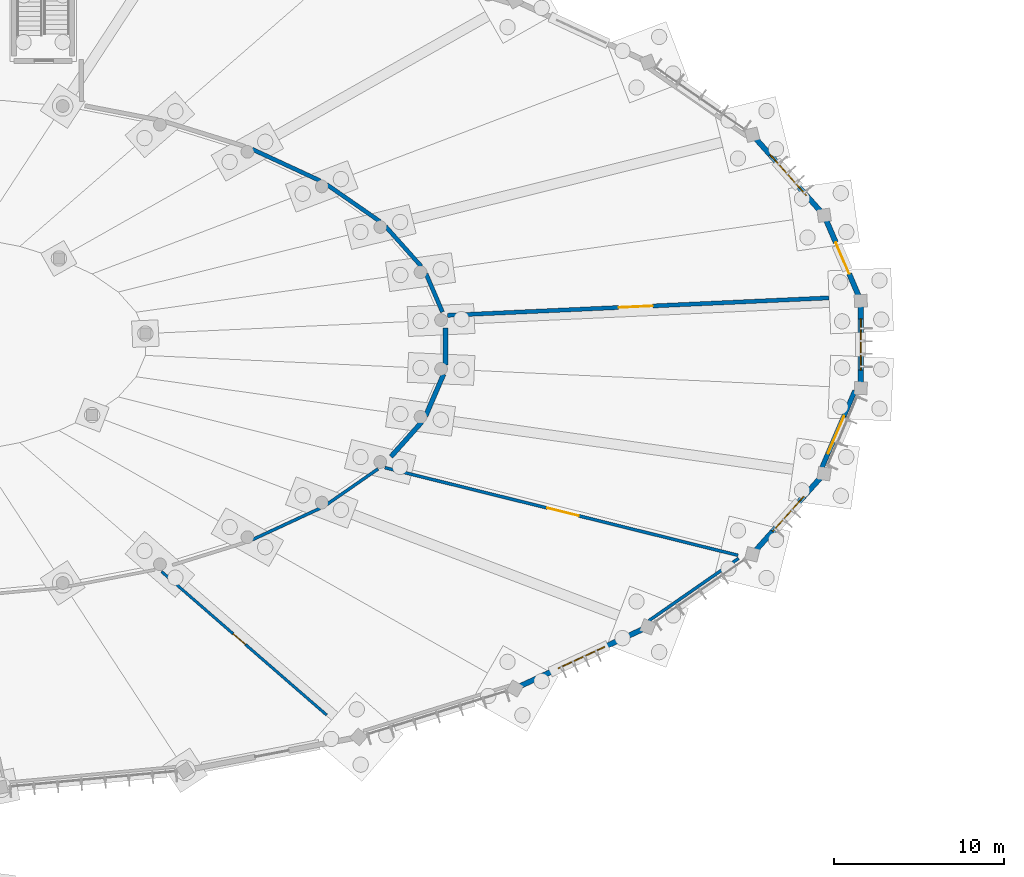
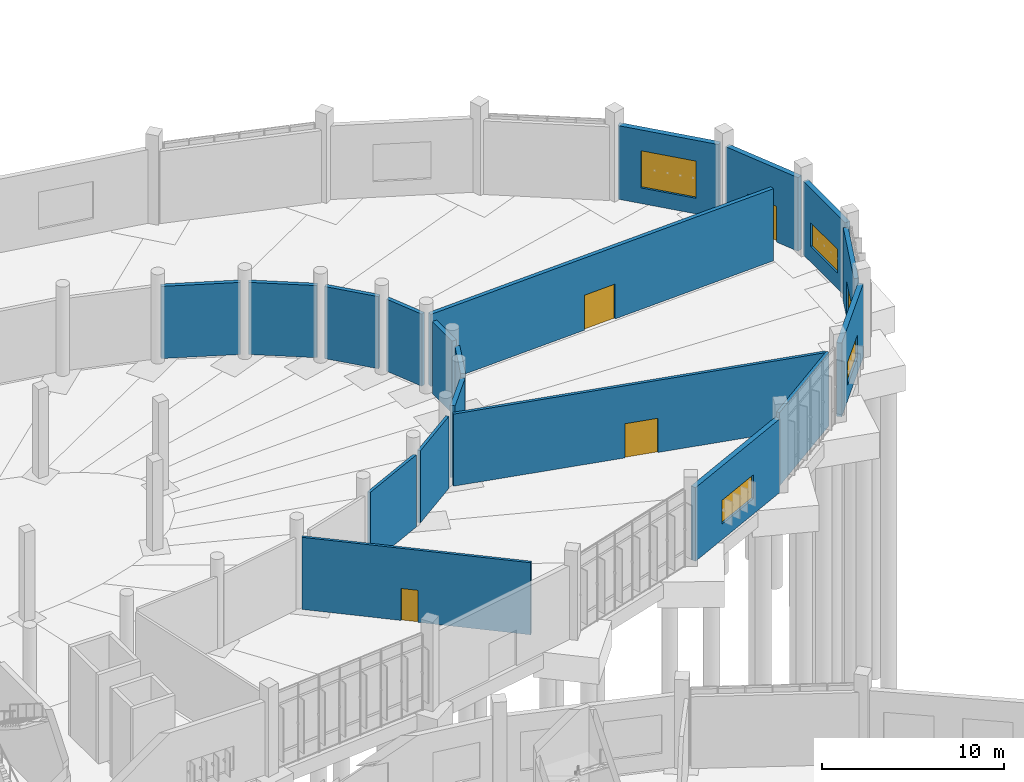
# One storey, part 91 of 140: 19 walls, 5 doors, 4 windows, 9 openings.
"""IFC4 building model written with IfcOpenShell, lengths in metres."""

from ifc_helpers import new_model, si_unit, direction, frame, frame_2d, origin, place, context, subcontext, project, spatial, rectangle, extrude, material, layer, layer_set, type_object, element, fill, save


model = new_model("IFC4")

# Units and contexts
model_context = context("Model", 3, precision=1e-05, world=origin(), true_north=direction((0.0, 1.0)))
body_context = subcontext(model_context, "Body", "Model", "MODEL_VIEW")
ifc_project = project(units=[si_unit("LENGTHUNIT", "METRE"), si_unit("AREAUNIT", "SQUARE_METRE"), si_unit("VOLUMEUNIT", "CUBIC_METRE"), si_unit("PLANEANGLEUNIT", "RADIAN"), si_unit("MASSUNIT", "GRAM", prefix="KILO")], contexts=[model_context])

# Site, building, storey
site_placement = place(None, origin())
site = spatial("IfcSite", under=ifc_project, at=site_placement, CompositionType="ELEMENT")
building_placement = place(site_placement, origin())
building = spatial("IfcBuilding", under=site, at=building_placement, Name="Corvandel Quay Wholesale Market", CompositionType="ELEMENT")
storey_placement = place(building_placement, origin())
storey = spatial("IfcBuildingStorey", under=building, at=storey_placement, Name="L00", CompositionType="ELEMENT", Elevation=0.0)

# Walls
ifc_material_1 = material(Name="PIR insulated food-safe sandwich panel")
ifc_layer_1 = layer(ifc_material_1, 0.280029296875)
ifc_layer_set_1 = layer_set([ifc_layer_1], Name="PIR insulated food-safe sandwich panel")
wall_type_1 = type_object("IfcWallType", Name="Cold Store Insulated Partition PT03 280", PredefinedType="PARTITIONING", material=ifc_layer_set_1)
wall_1_placement = place(storey_placement, frame((142.418212890625, 109.416259765625, 0.0), z_axis=(0.0, 0.0, 1.0), x_axis=(0.665185048373, 0.746678546244, 0.0)))
element("IfcWall", 1, at=wall_1_placement, inside=storey, type_object=wall_type_1, Name="Interior Wall IW-0608", PredefinedType="PARTITIONING", context=body_context, shape_type="SweptSolid", body=[
    extrude(rectangle(XDim=2.711181640625, YDim=0.280029296875, at=frame_2d((1.35546875, 0.0))), origin(), (0.0, 0.0, 1.0), 4.85009765625),
])
wall_2_placement = place(storey_placement, frame((144.455078125, 111.80712890625, 0.0), z_axis=(0.0, 0.0, 1.0), x_axis=(0.395440155108, 0.918491743963, 0.0)))
element("IfcWall", 2, at=wall_2_placement, inside=storey, type_object=wall_type_1, Name="Interior Wall IW-0609", PredefinedType="PARTITIONING", context=body_context, shape_type="SweptSolid", body=[
    extrude(rectangle(XDim=2.672607421875, YDim=0.280029296875, at=frame_2d((1.33642578125, 0.0))), origin(), (0.0, 0.0, 1.0), 4.85009765625),
])
wall_3_placement = place(storey_placement, frame((145.6201171875, 114.785888671875, 0.0), z_axis=(0.0, 0.0, 1.0), x_axis=(0.0, 1.0, 0.0)))
element("IfcWall", 3, at=wall_3_placement, inside=storey, type_object=wall_type_1, Name="Interior Wall IW-0610", PredefinedType="PARTITIONING", context=body_context, shape_type="SweptSolid", body=[
    extrude(rectangle(XDim=2.18017578125, YDim=0.280029296875, at=frame_2d((1.090087890625, 0.0))), origin(), (0.0, 0.0, 1.0), 4.85009765625),
])

# Wall, opening, door
wall_4_placement = place(storey_placement, frame((169.6533203125, 113.289794921875, 0.0), z_axis=(0.0, 0.0, 1.0), x_axis=(-0.393751898681, -0.919216754789, 0.0)))
wall_4 = element("IfcWall", 4, at=wall_4_placement, inside=storey, type_object=wall_type_1, Name="Interior Wall IW-0611", PredefinedType="PARTITIONING", context=body_context, shape_type="SweptSolid", body=[
    extrude(rectangle(XDim=4.9287109375, YDim=0.280029296875, at=frame_2d((2.46435546875, 0.0))), origin(), (0.0, 0.0, 1.0), 4.949951171875),
])
opening_1_placement = place(wall_4_placement, frame((1.614013671875, 0.0, 0.0)))
opening_1 = element("IfcOpeningElement", 5, at=opening_1_placement, cuts=wall_4, Name="Opening L00-D104", PredefinedType="OPENING", context=body_context, shape_type="SweptSolid", body=[
    extrude(rectangle(XDim=2.39990234375, YDim=2.449951171875, at=frame_2d((1.199951171875, 1.22509765625))), frame((0.0, 0.14990234375, 0.0), z_axis=(0.0, -1.0, 0.0), x_axis=(1.0, 0.0, 0.0)), (0.0, 0.0, 1.0), 0.300048828125),
])
ifc_material_2 = material(Name="Stainless insulated cold-store leaf")
door_type_1 = type_object("IfcDoorType", Name="Cold Store Insulated Sliding Door ID06 2400x2450", OperationType="DOUBLE_DOOR_SLIDING", PredefinedType="DOOR", material=ifc_material_2)
door_1_placement = place(opening_1_placement, origin())
door_1 = element("IfcDoor", 6, at=door_1_placement, inside=storey, type_object=door_type_1, Name="Potted Plant and Floral Cold Store Door", OperationType="DOUBLE_DOOR_SLIDING", OverallHeight=2.449951171875, OverallWidth=2.39990234375, PredefinedType="DOOR", context=body_context, shape_type="SweptSolid", body=[
    extrude(rectangle(XDim=2.39990234375, YDim=2.449951171875, at=frame_2d((1.199951171875, 1.22509765625))), frame((0.0, 0.02490234375, 0.0), z_axis=(0.0, -1.0, 0.0), x_axis=(1.0, 0.0, 0.0)), (0.0, 0.0, 1.0), 0.050048828125),
])
fill(opening_1, door_1)

# Walls
ifc_material_3 = material(Name="Lightweight concrete blockwork", Category="masonry")
ifc_layer_2 = layer(ifc_material_3, 0.239990234375)
ifc_layer_set_2 = layer_set([ifc_layer_2], Name="Lightweight concrete blockwork")
wall_type_2 = type_object("IfcWallType", Name="Fire Compartment Partition PT01 240", PredefinedType="PARTITIONING", material=ifc_layer_set_2)
wall_5_placement = place(storey_placement, frame((144.202392578125, 120.583984375, 0.0), z_axis=(0.0, 0.0, 1.0), x_axis=(-0.666082095966, 0.745878436096, 0.0)))
element("IfcWall", 7, at=wall_5_placement, inside=storey, type_object=wall_type_2, Name="Interior Wall IW-0562", PredefinedType="PARTITIONING", context=body_context, shape_type="SweptSolid", body=[
    extrude(rectangle(XDim=3.145263671875, YDim=0.239990234375, at=frame_2d((1.57275390625, 0.0))), origin(), (0.0, 0.0, 1.0), 4.85009765625),
])
wall_6_placement = place(storey_placement, frame((141.7802734375, 123.219482421875, 0.0), z_axis=(0.0, 0.0, 1.0), x_axis=(-0.821689133269, 0.569935933476, 0.0)))
element("IfcWall", 8, at=wall_6_placement, inside=storey, type_object=wall_type_2, Name="Interior Wall IW-0563", PredefinedType="PARTITIONING", context=body_context, shape_type="SweptSolid", body=[
    extrude(rectangle(XDim=3.811279296875, YDim=0.239990234375, at=frame_2d((1.90576171875, 0.0))), origin(), (0.0, 0.0, 1.0), 4.85009765625),
])
wall_7_placement = place(storey_placement, frame((138.268310546875, 125.609619140625, 0.0), z_axis=(0.0, 0.0, 1.0), x_axis=(-0.90722559216, 0.420644416259, 0.0)))
element("IfcWall", 9, at=wall_7_placement, inside=storey, type_object=wall_type_2, Name="Interior Wall IW-0564", PredefinedType="PARTITIONING", context=body_context, shape_type="SweptSolid", body=[
    extrude(rectangle(XDim=4.409912109375, YDim=0.239990234375, at=frame_2d((2.205078125, 0.0))), origin(), (0.0, 0.0, 1.0), 4.85009765625),
])

# Wall, opening, door
wall_8_placement = place(storey_placement, frame((168.12353515625, 118.73583984375, 0.0), z_axis=(0.0, 0.0, 1.0), x_axis=(-0.998955125277, -0.045701834571, 0.0)))
wall_8 = element("IfcWall", 10, at=wall_8_placement, inside=storey, type_object=wall_type_2, Name="Interior Wall IW-0573", PredefinedType="PARTITIONING", context=body_context, shape_type="SweptSolid", body=[
    extrude(rectangle(XDim=22.399169921875, YDim=0.239990234375, at=frame_2d((11.19970703125, 0.0))), origin(), (0.0, 0.0, 1.0), 4.85009765625),
])
opening_2_placement = place(wall_8_placement, frame((10.35009765625, 0.0, 0.0)))
opening_2 = element("IfcOpeningElement", 11, at=opening_2_placement, cuts=wall_8, Name="Opening L00-D098", PredefinedType="OPENING", context=body_context, shape_type="SweptSolid", body=[
    extrude(rectangle(XDim=2.0, YDim=2.35009765625, at=frame_2d((1.0, 1.175048828125))), frame((0.0, 0.1298828125, 0.0), z_axis=(0.0, -1.0, 0.0), x_axis=(1.0, 0.0, 0.0)), (0.0, 0.0, 1.0), 0.260009765625),
])
ifc_material_4 = material(Name="Heavy-duty anodised aluminium", Category="aluminium")
door_type_2 = type_object("IfcDoorType", Name="Trading Stall Double Door ID05 2000x2350", OperationType="DOUBLE_DOOR_SINGLE_SWING", PredefinedType="DOOR", material=ifc_material_4)
door_2_placement = place(opening_2_placement, origin())
door_2 = element("IfcDoor", 12, at=door_2_placement, inside=storey, type_object=door_type_2, Name="Conditioned Cut Flower Market Hall Door", OperationType="DOUBLE_DOOR_SINGLE_SWING", OverallHeight=2.35009765625, OverallWidth=2.0, PredefinedType="DOOR", context=body_context, shape_type="SweptSolid", body=[
    extrude(rectangle(XDim=2.0, YDim=2.35009765625, at=frame_2d((1.0, 1.175048828125))), frame((0.0, 0.02490234375, 0.0), z_axis=(0.0, -1.0, 0.0), x_axis=(1.0, 0.0, 0.0)), (0.0, 0.0, 1.0), 0.050048828125),
])
fill(opening_2, door_2)

# Wall
wall_9_placement = place(storey_placement, frame((145.44140625, 117.904296875, 0.0), z_axis=(0.0, 0.0, 1.0), x_axis=(-0.39375043344, 0.919217382432, 0.0)))
element("IfcWall", 13, at=wall_9_placement, inside=storey, type_object=wall_type_2, Name="Interior Wall IW-0574", PredefinedType="PARTITIONING", context=body_context, shape_type="SweptSolid", body=[
    extrude(rectangle(XDim=2.44287109375, YDim=0.239990234375, at=frame_2d((1.221435546875, 0.0))), origin(), (0.0, 0.0, 1.0), 4.85009765625),
])

# Wall, opening, door
ifc_material_5 = material(Name="Marine precast concrete C45/55", Category="concrete")
ifc_layer_3 = layer(ifc_material_5, 0.31005859375)
ifc_layer_set_3 = layer_set([ifc_layer_3], Name="Marine precast concrete C45/55")
wall_type_3 = type_object("IfcWallType", Name="Fish Hall Marine Precast Wall EW06 310", PredefinedType="SOLIDWALL", material=ifc_layer_set_3)
wall_10_placement = place(storey_placement, frame((169.905517578125, 118.781494140625, 0.0), z_axis=(0.0, 0.0, 1.0), x_axis=(-0.393836540118, 0.91918049352, 0.0)))
wall_10 = element("IfcWall", 14, at=wall_10_placement, inside=storey, type_object=wall_type_3, Name="Exterior Wall EW-0089", PredefinedType="SOLIDWALL", context=body_context, shape_type="SweptSolid", body=[
    extrude(rectangle(XDim=4.984619140625, YDim=0.31005859375, at=frame_2d((2.4921875, 0.0))), origin(), (0.0, 0.0, 1.0), 4.949951171875),
])
opening_3_placement = place(wall_10_placement, frame((1.491943359375, 0.0, 0.0)))
opening_3 = element("IfcOpeningElement", 15, at=opening_3_placement, cuts=wall_10, Name="Opening L00-D017", PredefinedType="OPENING", context=body_context, shape_type="SweptSolid", body=[
    extrude(rectangle(XDim=2.0, YDim=2.39990234375, at=frame_2d((1.0, 1.199951171875))), frame((0.0, 0.1650390625, 0.0), z_axis=(0.0, -1.0, 0.0), x_axis=(1.0, 0.0, 0.0)), (0.0, 0.0, 1.0), 0.330078125),
])
ifc_material_6 = material(Name="Bronze anodised aluminium and laminated glass", Category="aluminium")
door_type_3 = type_object("IfcDoorType", Name="Concourse Double Exit Door ED02 2000x2400", OperationType="DOUBLE_DOOR_SINGLE_SWING", PredefinedType="DOOR", material=ifc_material_6)
door_3_placement = place(opening_3_placement, origin())
door_3 = element("IfcDoor", 16, at=door_3_placement, inside=storey, type_object=door_type_3, Name="Main Pedestrian Exit V2-00", OperationType="DOUBLE_DOOR_SINGLE_SWING", OverallHeight=2.39990234375, OverallWidth=2.0, PredefinedType="DOOR", context=body_context, shape_type="SweptSolid", body=[
    extrude(rectangle(XDim=2.0, YDim=2.39990234375, at=frame_2d((1.0, 1.199951171875))), frame((0.0, 0.02490234375, 0.0), z_axis=(0.0, -1.0, 0.0), x_axis=(1.0, 0.0, 0.0)), (0.0, 0.0, 1.0), 0.050048828125),
])
fill(opening_3, door_3)

# Wall, opening, window
wall_11_placement = place(storey_placement, frame((167.688232421875, 123.76318359375, 0.0), z_axis=(0.0, 0.0, 1.0), x_axis=(-0.665655603323, 0.746259082199, 0.0)))
wall_11 = element("IfcWall", 17, at=wall_11_placement, inside=storey, type_object=wall_type_3, Name="Exterior Wall EW-0092", PredefinedType="SOLIDWALL", context=body_context, shape_type="SweptSolid", body=[
    extrude(rectangle(XDim=5.86083984375, YDim=0.31005859375, at=frame_2d((2.930419921875, 0.0))), origin(), (0.0, 0.0, 1.0), 4.949951171875),
])
opening_4_placement = place(wall_11_placement, frame((1.330078125, 0.0, 1.050048828125)))
opening_4 = element("IfcOpeningElement", 18, at=opening_4_placement, cuts=wall_11, Name="Opening L00-W052", PredefinedType="OPENING", context=body_context, shape_type="SweptSolid", body=[
    extrude(rectangle(XDim=3.199951171875, YDim=2.5, at=frame_2d((1.60009765625, 1.25))), frame((0.0, 0.1650390625, 0.0), z_axis=(0.0, -1.0, 0.0), x_axis=(1.0, 0.0, 0.0)), (0.0, 0.0, 1.0), 0.330078125),
])
ifc_material_7 = material(Name="Thermally broken bronze anodised aluminium and solar-control low-E double glazing", Category="aluminium")
window_type_1 = type_object("IfcWindowType", Name="Flower Market Display Window WN07 3200x2500", PartitioningType="SINGLE_PANEL", PredefinedType="WINDOW", material=ifc_material_7)
window_1_placement = place(opening_4_placement, origin())
window_1 = element("IfcWindow", 19, at=window_1_placement, inside=storey, type_object=window_type_1, Name="Window L00-W052", OverallHeight=2.5, OverallWidth=3.199951171875, PartitioningType="SINGLE_PANEL", PredefinedType="WINDOW", context=body_context, shape_type="SweptSolid", body=[
    extrude(rectangle(XDim=3.199951171875, YDim=2.5, at=frame_2d((1.60009765625, 1.25))), frame((0.0, 0.030029296875, 0.0), z_axis=(0.0, -1.0, 0.0), x_axis=(1.0, 0.0, 0.0)), (0.0, 0.0, 1.0), 0.06005859375),
])
fill(opening_4, window_1)

wall_12_placement = place(storey_placement, frame((149.915771484375, 95.905029296875, 0.0), z_axis=(0.0, 0.0, 1.0), x_axis=(0.906976563178, 0.421181093884, 0.0)))
wall_12 = element("IfcWall", 20, at=wall_12_placement, inside=storey, type_object=wall_type_3, Name="Exterior Wall EW-0146", PredefinedType="SOLIDWALL", context=body_context, shape_type="SweptSolid", body=[
    extrude(rectangle(XDim=8.119873046875, YDim=0.31005859375, at=frame_2d((4.06005859375, 0.0))), origin(), (0.0, 0.0, 1.0), 4.949951171875),
])
opening_5_placement = place(wall_12_placement, frame((2.56005859375, 0.0, 1.050048828125)))
opening_5 = element("IfcOpeningElement", 21, at=opening_5_placement, cuts=wall_12, Name="Opening L00-W064", PredefinedType="OPENING", context=body_context, shape_type="SweptSolid", body=[
    extrude(rectangle(XDim=3.0, YDim=1.60009765625, at=frame_2d((1.5, 0.800048828125))), frame((0.0, 0.1650390625, 0.0), z_axis=(0.0, -1.0, 0.0), x_axis=(1.0, 0.0, 0.0)), (0.0, 0.0, 1.0), 0.330078125),
])
window_type_2 = type_object("IfcWindowType", Name="Fish Hall High-Level Window WN06 3000x1600", PartitioningType="SINGLE_PANEL", PredefinedType="WINDOW", material=ifc_material_7)
window_2_placement = place(opening_5_placement, origin())
window_2 = element("IfcWindow", 22, at=window_2_placement, inside=storey, type_object=window_type_2, Name="Window L00-W064", OverallHeight=1.60009765625, OverallWidth=3.0, PartitioningType="SINGLE_PANEL", PredefinedType="WINDOW", context=body_context, shape_type="SweptSolid", body=[
    extrude(rectangle(XDim=3.0, YDim=1.60009765625, at=frame_2d((1.5, 0.800048828125))), frame((0.0, 0.030029296875, 0.0), z_axis=(0.0, -1.0, 0.0), x_axis=(1.0, 0.0, 0.0)), (0.0, 0.0, 1.0), 0.06005859375),
])
fill(opening_5, window_2)

wall_13_placement = place(storey_placement, frame((163.786865234375, 103.863037109375, 0.0), z_axis=(0.0, 0.0, 1.0), x_axis=(0.665655603323, 0.746259082199, 0.0)))
wall_13 = element("IfcWall", 23, at=wall_13_placement, inside=storey, type_object=wall_type_3, Name="Exterior Wall EW-0150", PredefinedType="SOLIDWALL", context=body_context, shape_type="SweptSolid", body=[
    extrude(rectangle(XDim=5.86083984375, YDim=0.31005859375, at=frame_2d((2.930419921875, 0.0))), origin(), (0.0, 0.0, 1.0), 4.949951171875),
])
opening_6_placement = place(wall_13_placement, frame((1.554931640625, 0.0, 1.050048828125)))
opening_6 = element("IfcOpeningElement", 24, at=opening_6_placement, cuts=wall_13, Name="Opening L00-W065", PredefinedType="OPENING", context=body_context, shape_type="SweptSolid", body=[
    extrude(rectangle(XDim=2.75, YDim=1.550048828125, at=frame_2d((1.375, 0.77490234375))), frame((0.0, 0.1650390625, 0.0), z_axis=(0.0, -1.0, 0.0), x_axis=(1.0, 0.0, 0.0)), (0.0, 0.0, 1.0), 0.330078125),
])
window_type_3 = type_object("IfcWindowType", Name="North Market Clerestory Window WN24 2750x1550", PartitioningType="SINGLE_PANEL", PredefinedType="WINDOW", material=ifc_material_7)
window_3_placement = place(opening_6_placement, origin())
window_3 = element("IfcWindow", 25, at=window_3_placement, inside=storey, type_object=window_type_3, Name="Window L00-W065", OverallHeight=1.550048828125, OverallWidth=2.75, PartitioningType="SINGLE_PANEL", PredefinedType="WINDOW", context=body_context, shape_type="SweptSolid", body=[
    extrude(rectangle(XDim=2.75, YDim=1.550048828125, at=frame_2d((1.375, 0.77490234375))), frame((0.0, 0.030029296875, 0.0), z_axis=(0.0, -1.0, 0.0), x_axis=(1.0, 0.0, 0.0)), (0.0, 0.0, 1.0), 0.06005859375),
])
fill(opening_6, window_3)

wall_14_placement = place(storey_placement, frame((170.0, 113.678955078125, 0.0), z_axis=(0.0, 0.0, 1.0), x_axis=(0.0, 1.0, 0.0)))
wall_14 = element("IfcWall", 26, at=wall_14_placement, inside=storey, type_object=wall_type_3, Name="Exterior Wall EW-0154", PredefinedType="SOLIDWALL", context=body_context, shape_type="SweptSolid", body=[
    extrude(rectangle(XDim=4.64208984375, YDim=0.31005859375, at=frame_2d((2.321044921875, 0.0))), origin(), (0.0, 0.0, 1.0), 4.949951171875),
])
opening_7_placement = place(wall_14_placement, frame((0.821044921875, 0.0, 1.050048828125)))
opening_7 = element("IfcOpeningElement", 27, at=opening_7_placement, cuts=wall_14, Name="Opening L00-W066", PredefinedType="OPENING", context=body_context, shape_type="SweptSolid", body=[
    extrude(rectangle(XDim=3.0, YDim=1.60009765625, at=frame_2d((1.5, 0.800048828125))), frame((0.0, 0.1650390625, 0.0), z_axis=(0.0, -1.0, 0.0), x_axis=(1.0, 0.0, 0.0)), (0.0, 0.0, 1.0), 0.330078125),
])
window_4_placement = place(opening_7_placement, origin())
window_4 = element("IfcWindow", 28, at=window_4_placement, inside=storey, type_object=window_type_2, Name="Window L00-W066", OverallHeight=1.60009765625, OverallWidth=3.0, PartitioningType="SINGLE_PANEL", PredefinedType="WINDOW", context=body_context, shape_type="SweptSolid", body=[
    extrude(rectangle(XDim=3.0, YDim=1.60009765625, at=frame_2d((1.5, 0.800048828125))), frame((0.0, 0.030029296875, 0.0), z_axis=(0.0, -1.0, 0.0), x_axis=(1.0, 0.0, 0.0)), (0.0, 0.0, 1.0), 0.06005859375),
])
fill(opening_7, window_4)

# Walls
ifc_material_8 = material(Name="FRP-faced cementitious board stud wall")
ifc_layer_4 = layer(ifc_material_8, 0.179931640625)
ifc_layer_set_4 = layer_set([ifc_layer_4], Name="FRP-faced cementitious board stud wall")
wall_type_4 = type_object("IfcWallType", Name="Hygienic Washdown Partition PT05 180", PredefinedType="PARTITIONING", material=ifc_layer_set_4)
wall_15_placement = place(storey_placement, frame((134.271484375, 104.53662109375, 0.0), z_axis=(0.0, 0.0, 1.0), x_axis=(0.907174440415, 0.420754720303, 0.0)))
element("IfcWall", 29, at=wall_15_placement, inside=storey, type_object=wall_type_4, Name="Interior Wall IW-0603", PredefinedType="PARTITIONING", context=body_context, shape_type="SweptSolid", body=[
    extrude(rectangle(XDim=4.40576171875, YDim=0.179931640625, at=frame_2d((2.202880859375, 0.0))), origin(), (0.0, 0.0, 1.0), 4.85009765625),
])
wall_16_placement = place(storey_placement, frame((138.648681640625, 106.6083984375, 0.0), z_axis=(0.0, 0.0, 1.0), x_axis=(0.821916413941, 0.569608118354, 0.0)))
element("IfcWall", 30, at=wall_16_placement, inside=storey, type_object=wall_type_4, Name="Interior Wall IW-0604", PredefinedType="PARTITIONING", context=body_context, shape_type="SweptSolid", body=[
    extrude(rectangle(XDim=3.666259765625, YDim=0.179931640625, at=frame_2d((1.8330078125, 0.0))), origin(), (0.0, 0.0, 1.0), 4.85009765625),
])

# Wall, opening, door
wall_17_placement = place(storey_placement, frame((142.056396484375, 108.76904296875, 0.0), z_axis=(0.0, 0.0, 1.0), x_axis=(0.970562474768, -0.240849501915, 0.0)))
wall_17 = element("IfcWall", 31, at=wall_17_placement, inside=storey, type_object=wall_type_4, Name="Interior Wall IW-0605", PredefinedType="PARTITIONING", context=body_context, shape_type="SweptSolid", body=[
    extrude(rectangle(XDim=21.365966796875, YDim=0.179931640625, at=frame_2d((10.68310546875, 0.0))), origin(), (0.0, 0.0, 1.0), 4.85009765625),
])
opening_8_placement = place(wall_17_placement, frame((9.8330078125, 0.0, 0.0)))
opening_8 = element("IfcOpeningElement", 32, at=opening_8_placement, cuts=wall_17, Name="Opening L00-D103", PredefinedType="OPENING", context=body_context, shape_type="SweptSolid", body=[
    extrude(rectangle(XDim=1.89990234375, YDim=2.300048828125, at=frame_2d((0.949951171875, 1.14990234375))), frame((0.0, 0.099853515625, 0.0), z_axis=(0.0, -1.0, 0.0), x_axis=(1.0, 0.0, 0.0)), (0.0, 0.0, 1.0), 0.199951171875),
])
ifc_material_9 = material(Name="Brushed stainless steel hygienic leaf", Category="steel")
door_type_4 = type_object("IfcDoorType", Name="Canteen Kitchen Double Door ID17 1900x2300", OperationType="DOUBLE_DOOR_SINGLE_SWING", PredefinedType="DOOR", material=ifc_material_9)
door_4_placement = place(opening_8_placement, origin())
door_4 = element("IfcDoor", 33, at=door_4_placement, inside=storey, type_object=door_type_4, Name="Fish Gutting and Filleting Hygiene Room Door", OperationType="DOUBLE_DOOR_SINGLE_SWING", OverallHeight=2.300048828125, OverallWidth=1.89990234375, PredefinedType="DOOR", context=body_context, shape_type="SweptSolid", body=[
    extrude(rectangle(XDim=1.89990234375, YDim=2.300048828125, at=frame_2d((0.949951171875, 1.14990234375))), frame((0.0, 0.02490234375, 0.0), z_axis=(0.0, -1.0, 0.0), x_axis=(1.0, 0.0, 0.0)), (0.0, 0.0, 1.0), 0.050048828125),
])
fill(opening_8, door_4)

# Wall
wall_18_placement = place(storey_placement, frame((162.826416015625, 103.444580078125, 0.0), z_axis=(0.0, 0.0, 1.0), x_axis=(-0.821236459211, -0.570588010794, 0.0)))
element("IfcWall", 34, at=wall_18_placement, inside=storey, type_object=wall_type_4, Name="Interior Wall IW-0606", PredefinedType="PARTITIONING", context=body_context, shape_type="SweptSolid", body=[
    extrude(rectangle(XDim=6.4267578125, YDim=0.179931640625, at=frame_2d((3.21337890625, 0.0))), origin(), (0.0, 0.0, 1.0), 4.949951171875),
])

# Wall, opening, door
ifc_material_10 = material(Name="Moisture-resistant tile-backer partition")
ifc_layer_5 = layer(ifc_material_10, 0.159912109375)
ifc_layer_set_5 = layer_set([ifc_layer_5], Name="Moisture-resistant tile-backer partition")
wall_type_5 = type_object("IfcWallType", Name="Sanitary Tile Partition PT06 160", PredefinedType="PARTITIONING", material=ifc_layer_set_5)
wall_19_placement = place(storey_placement, frame((128.946044921875, 102.673583984375, 0.0), z_axis=(0.0, 0.0, 1.0), x_axis=(0.754936044431, -0.655798420872, 0.0)))
wall_19 = element("IfcWall", 35, at=wall_19_placement, inside=storey, type_object=wall_type_5, Name="Interior Wall IW-0599", PredefinedType="PARTITIONING", context=body_context, shape_type="SweptSolid", body=[
    extrude(rectangle(XDim=12.84521484375, YDim=0.159912109375, at=frame_2d((6.422607421875, 0.0))), origin(), (0.0, 0.0, 1.0), 4.85009765625),
])
opening_9_placement = place(wall_19_placement, frame((5.572998046875, 0.0, 0.0)))
opening_9 = element("IfcOpeningElement", 36, at=opening_9_placement, cuts=wall_19, Name="Opening L00-D102", PredefinedType="OPENING", context=body_context, shape_type="SweptSolid", body=[
    extrude(rectangle(XDim=0.949951171875, YDim=2.14990234375, at=frame_2d((0.47509765625, 1.074951171875))), frame((0.0, 0.08984375, 0.0), z_axis=(0.0, -1.0, 0.0), x_axis=(1.0, 0.0, 0.0)), (0.0, 0.0, 1.0), 0.179931640625),
])
ifc_material_11 = material(Name="Moisture-resistant HPL solid core")
door_type_5 = type_object("IfcDoorType", Name="Accessible Restroom Door ID14 950x2150R", OperationType="SINGLE_SWING_RIGHT", PredefinedType="DOOR", material=ifc_material_11)
door_5_placement = place(opening_9_placement, origin())
door_5 = element("IfcDoor", 37, at=door_5_placement, inside=storey, type_object=door_type_5, Name="Public Accessible Toilet and Restroom V2 Door", OperationType="SINGLE_SWING_RIGHT", OverallHeight=2.14990234375, OverallWidth=0.949951171875, PredefinedType="DOOR", context=body_context, shape_type="SweptSolid", body=[
    extrude(rectangle(XDim=0.949951171875, YDim=2.14990234375, at=frame_2d((0.47509765625, 1.074951171875))), frame((0.0, 0.02490234375, 0.0), z_axis=(0.0, -1.0, 0.0), x_axis=(1.0, 0.0, 0.0)), (0.0, 0.0, 1.0), 0.050048828125),
])
fill(opening_9, door_5)

save(model, "model.ifc")
